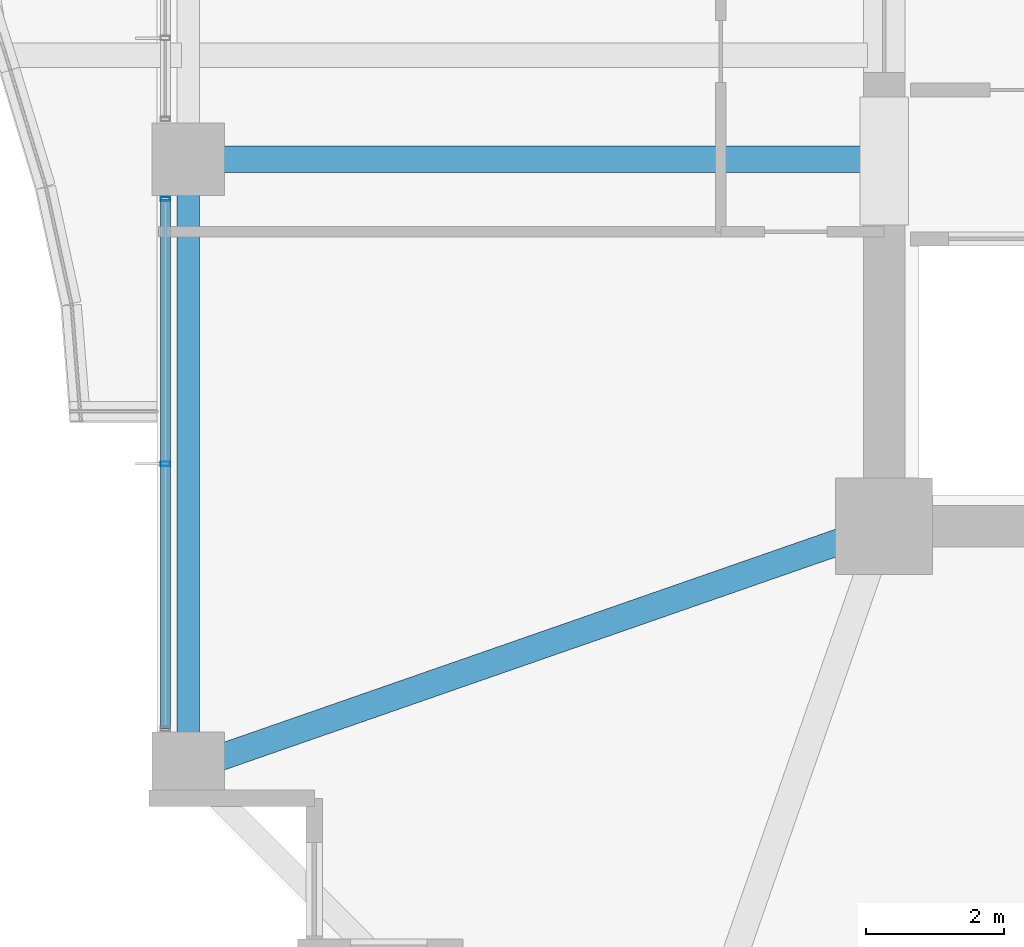
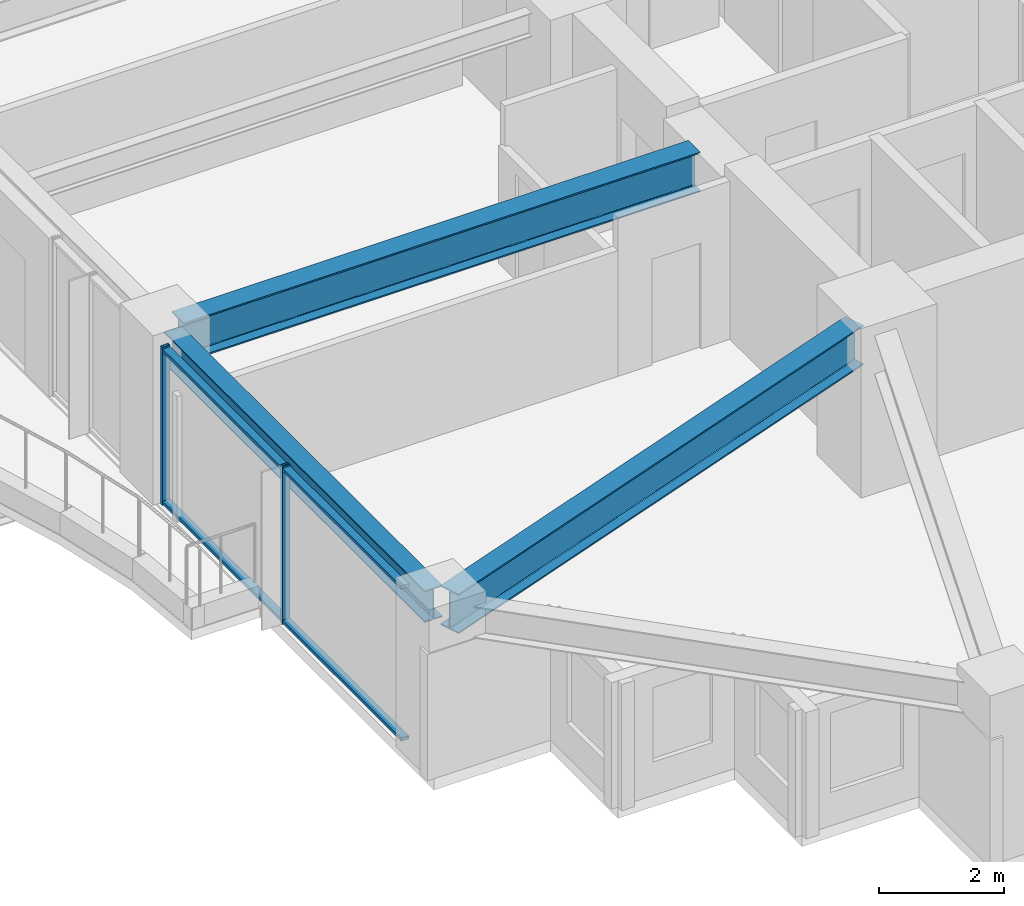
# One storey, part 4 of 36: 4 members, 3 beams, 1 element without a shape of its own.
"""IFC4 building model written with IfcOpenShell, lengths in metres."""

from ifc_helpers import new_model, si_unit, direction, frame, origin, origin_2d, place, context, subcontext, project, spatial, hollow_rectangle, i_section, extrude, material, material_profile, profile_set, type_object, element, aggregate, save


model = new_model("IFC4")

# Units and contexts
model_context = context("Model", 3, precision=1e-05, world=origin(), true_north=direction((0.0, 1.0)))
body_context = subcontext(model_context, "Body", "Model", "MODEL_VIEW")
ifc_project = project(units=[si_unit("LENGTHUNIT", "METRE"), si_unit("AREAUNIT", "SQUARE_METRE"), si_unit("VOLUMEUNIT", "CUBIC_METRE"), si_unit("PLANEANGLEUNIT", "RADIAN"), si_unit("MASSUNIT", "GRAM", prefix="KILO")], contexts=[model_context])

# Site, building, storey
site_placement = place(None, origin())
site = spatial("IfcSite", under=ifc_project, at=site_placement, CompositionType="ELEMENT")
building_placement = place(site_placement, origin())
building = spatial("IfcBuilding", under=site, at=building_placement, Name="Kolvaren Belvedere", CompositionType="ELEMENT")
storey_placement = place(building_placement, frame((0.0, 0.0, 92.0)))
storey = spatial("IfcBuildingStorey", under=building, at=storey_placement, Name="L26", CompositionType="ELEMENT", Elevation=92.0)

# Beams
ifc_material_1 = material(Name="Structural steel ASTM A992 Grade 50", Category="steel")
ifc_material_profile_1 = material_profile(ifc_material_1, i_section(OverallWidth=0.381103515625, OverallDepth=0.77294921875, WebThickness=0.0166015625, FlangeThickness=0.027099609375, FilletRadius=0.02392578125, at=origin_2d()), Name="W30X173")
ifc_profile_set_1 = profile_set([ifc_material_profile_1], Name="Structural steel ASTM A992 Grade 50")
beam_type_1 = type_object("IfcBeamType", Name="BM-GIRD-W30X173", PredefinedType="BEAM", material=ifc_profile_set_1)
beam_1_placement = place(storey_placement, frame((-10.199951171875, -4.60009765625, 2.693603515625), z_axis=(-1.0, 0.0, 0.0), x_axis=(0.0, -1.0, 0.0)))
element("IfcBeam", 1, at=beam_1_placement, inside=storey, type_object=beam_type_1, Name="L26 West Radial Girder M", PredefinedType="BEAM", context=body_context, shape_type="SweptSolid", body=[
    extrude(i_section(OverallWidth=0.381103515625, OverallDepth=0.77294921875, WebThickness=0.0166015625, FlangeThickness=0.027099609375, FilletRadius=0.02392578125, at=origin_2d()), origin(), (0.0, 0.0, 1.0), 9.513916015625),
])
beam_2_placement = place(storey_placement, frame((-10.41943359375, -10.080810546875, 2.693603515625), z_axis=(-0.944371408538, -0.328880894453, 0.0), x_axis=(0.328880894453, -0.944371408538, 0.0)))
element("IfcBeam", 2, at=beam_2_placement, inside=storey, type_object=beam_type_1, Name="L26 Corner Core-to-Perimeter Girder CC1-W1", PredefinedType="BEAM", context=body_context, shape_type="SweptSolid", body=[
    extrude(i_section(OverallWidth=0.381103515625, OverallDepth=0.77294921875, WebThickness=0.0166015625, FlangeThickness=0.027099609375, FilletRadius=0.02392578125, at=origin_2d()), origin(), (0.0, 0.0, 1.0), 9.882080078125),
])
ifc_material_2 = material(Name="Structural steel ASTM A992 Grade 50", Category="steel")
ifc_material_profile_2 = material_profile(ifc_material_2, i_section(OverallWidth=0.324951171875, OverallDepth=0.615966796875, WebThickness=0.013916015625, FlangeThickness=0.021484375, FilletRadius=0.02001953125, at=origin_2d()), Name="W24X117")
ifc_profile_set_2 = profile_set([ifc_material_profile_2], Name="Structural steel ASTM A992 Grade 50")
beam_type_2 = type_object("IfcBeamType", Name="BM-SPAN-W24X117", PredefinedType="SPANDREL", material=ifc_profile_set_2)
beam_3_placement = place(storey_placement, frame((-19.949951171875, -4.836181640625, 2.77197265625), z_axis=(0.0, -1.0, 0.0), x_axis=(1.0, 0.0, 0.0)))
element("IfcBeam", 3, at=beam_3_placement, inside=storey, type_object=beam_type_2, Name="L26 Perimeter Spandrel W2-W1", PredefinedType="SPANDREL", context=body_context, shape_type="SweptSolid", body=[
    extrude(i_section(OverallWidth=0.324951171875, OverallDepth=0.615966796875, WebThickness=0.013916015625, FlangeThickness=0.021484375, FilletRadius=0.02001953125, at=origin_2d()), origin(), (0.0, 0.0, 1.0), 8.32763671875),
])

# Curtain wall, members
ifc_material_3 = material(Name="Anodised pale-metal aluminium AA 6063-T6", Category="aluminium")
curtain_wall_type = type_object("IfcCurtainWallType", Name="CW-Z2-MID", PredefinedType="NOTDEFINED", material=ifc_material_3)
curtain_wall_placement = place(storey_placement, origin())
curtain_wall = element("IfcCurtainWall", 4, at=curtain_wall_placement, inside=storey, type_object=curtain_wall_type, Name="L26 Unitised Curtain Wall FCW-L26-W1-B1", PredefinedType="NOTDEFINED")
ifc_material_4 = material(Name="Anodised pale-metal aluminium AA 6063-T6", Category="aluminium")
ifc_material_profile_3 = material_profile(ifc_material_4, hollow_rectangle(XDim=0.06494140625, YDim=0.139892578125, WallThickness=0.00390625, at=origin_2d()), Name="ALU-MUL-140X65")
ifc_profile_set_3 = profile_set([ifc_material_profile_3], Name="Anodised pale-metal aluminium AA 6063-T6")
member_type_1 = type_object("IfcMemberType", Name="CW-MUL-140", PredefinedType="MULLION", material=ifc_profile_set_3)
member_1_placement = place(storey_placement, frame((-20.280029296875, -9.0, 0.0), z_axis=(0.0, 0.0, 1.0), x_axis=(0.0, 1.0, 0.0)))
member_1 = element("IfcMember", 5, at=member_1_placement, type_object=member_type_1, Name="FCW-L26-W1-B1 Unitised Mullion 2", PredefinedType="MULLION", context=body_context, shape_type="SweptSolid", body=[
    extrude(hollow_rectangle(XDim=0.06494140625, YDim=0.139892578125, WallThickness=0.00390625, at=origin_2d()), origin(), (0.0, 0.0, 1.0), 3.080078125),
])
member_2_placement = place(storey_placement, frame((-20.280029296875, -5.177490234375, 0.0), z_axis=(0.0, 0.0, 1.0), x_axis=(0.0, 1.0, 0.0)))
member_2 = element("IfcMember", 6, at=member_2_placement, type_object=member_type_1, Name="FCW-L26-W1-B1 Unitised Mullion 3", PredefinedType="MULLION", context=body_context, shape_type="SweptSolid", body=[
    extrude(hollow_rectangle(XDim=0.06494140625, YDim=0.139892578125, WallThickness=0.00390625, at=origin_2d()), origin(), (0.0, 0.0, 1.0), 3.080078125),
])
ifc_material_5 = material(Name="Anodised pale-metal aluminium AA 6063-T6", Category="aluminium")
ifc_material_profile_4 = material_profile(ifc_material_5, hollow_rectangle(XDim=0.06005859375, YDim=0.139892578125, WallThickness=0.00390625, at=origin_2d()), Name="ALU-TRN-140X60")
ifc_profile_set_4 = profile_set([ifc_material_profile_4], Name="Anodised pale-metal aluminium AA 6063-T6")
member_type_2 = type_object("IfcMemberType", Name="CW-TRN-140", PredefinedType="USERDEFINED", material=ifc_profile_set_4)
member_3_placement = place(storey_placement, frame((-20.280029296875, -12.822509765625, 0.06005859375), z_axis=(0.0, 1.0, 0.0), x_axis=(0.0, 0.0, 1.0)))
member_3 = element("IfcMember", 7, at=member_3_placement, type_object=member_type_2, Name="FCW-L26-W1-B1 Sill Transom", ObjectType="TRANSOM", PredefinedType="USERDEFINED", context=body_context, shape_type="SweptSolid", body=[
    extrude(hollow_rectangle(XDim=0.06005859375, YDim=0.139892578125, WallThickness=0.00390625, at=origin_2d()), origin(), (0.0, 0.0, 1.0), 7.64501953125),
])
member_4_placement = place(storey_placement, frame((-20.280029296875, -12.822509765625, 3.02001953125), z_axis=(0.0, 1.0, 0.0), x_axis=(0.0, 0.0, 1.0)))
member_4 = element("IfcMember", 8, at=member_4_placement, type_object=member_type_2, Name="FCW-L26-W1-B1 Head Transom", ObjectType="TRANSOM", PredefinedType="USERDEFINED", context=body_context, shape_type="SweptSolid", body=[
    extrude(hollow_rectangle(XDim=0.06005859375, YDim=0.139892578125, WallThickness=0.00390625, at=origin_2d()), origin(), (0.0, 0.0, 1.0), 7.64501953125),
])
aggregate(curtain_wall, [member_1, member_2, member_3, member_4])

save(model, "model.ifc")
